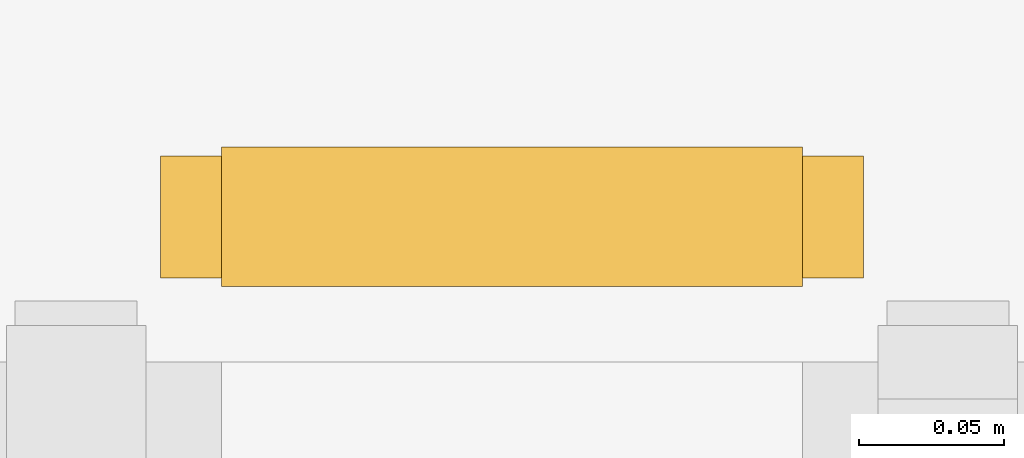
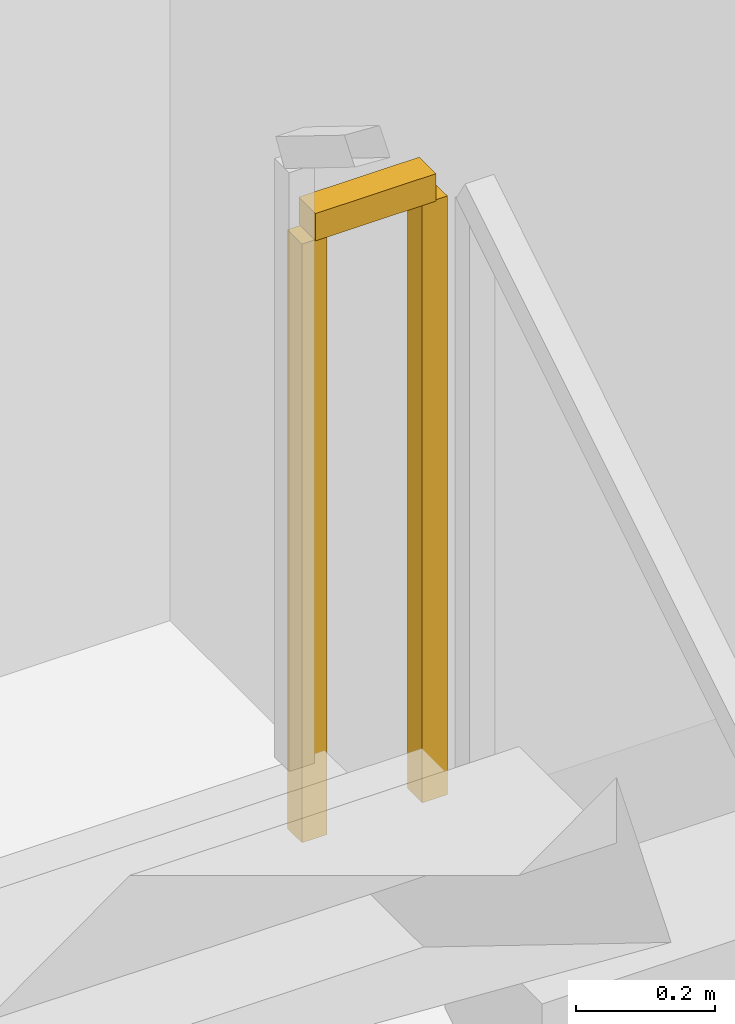
# One storey, part 22 of 23: 1 railing.
"""IFC4 building model written with IfcOpenShell, lengths in metres."""

import ifcopenshell
import ifcopenshell.guid

model = None  # the IFC model being written
_history = None  # IfcOwnerHistory: only IFC2X3 demands one
_inside = {}  # id of a spatial element -> (the spatial element, [elements in it])
_under = {}  # id of a project, library or spatial element -> (it, [spatial elements below it])
_declared = {}  # id of a project -> (the project, [libraries it declares])
_typed = {}  # id of a type object -> (the type object, [elements of that type])
_made_of = {}  # id of a material, layer set ... -> (it, [elements and type objects made of it])


def new_model(schema):
    """Start an empty IFC model of exactly this schema.

    Asked for "IFC4X3", IfcOpenShell would pick the latest addendum, in which some entities
    have other attributes; the version numbers below select the first issue.
    IFC2X3 requires an IfcOwnerHistory on every rooted entity: one is made here for all.
    """
    global model, _history
    if schema == "IFC4X3":
        model = ifcopenshell.file(schema_version=(4, 3, 0, 0))
    else:
        model = ifcopenshell.file(schema=schema)
    _inside.clear()
    _under.clear()
    _declared.clear()
    _typed.clear()
    _made_of.clear()
    _history = None
    if model.schema == "IFC2X3":
        org = make("IfcOrganization", Name="unknown")
        user = make(
            "IfcPersonAndOrganization",
            ThePerson=make("IfcPerson", FamilyName="unknown"),
            TheOrganization=org,
        )
        app = make(
            "IfcApplication",
            ApplicationDeveloper=org,
            Version="unknown",
            ApplicationFullName="unknown",
            ApplicationIdentifier="unknown",
        )
        _history = make(
            "IfcOwnerHistory",
            OwningUser=user,
            OwningApplication=app,
            ChangeAction="ADDED",
            CreationDate=0,
        )
    return model


def make(cls, **values):
    """One entity of the class cls with the attributes given. An attribute that is None is left unset."""
    return model.create_entity(
        cls, **{name: value for name, value in values.items() if value is not None}
    )


def rooted(cls, **values):
    """An entity with a GlobalId (a new one), such as an element, a storey or a relation."""
    return make(cls, GlobalId=ifcopenshell.guid.new(), OwnerHistory=_history, **values)


def si_unit(unit_type, name, prefix=None):
    """IfcSIUnit, for example si_unit("LENGTHUNIT", "METRE", prefix="MILLI")."""
    return make("IfcSIUnit", UnitType=unit_type, Prefix=prefix, Name=name)


def assignment(units):
    """IfcUnitAssignment: the units of a project."""
    return None if units is None else make("IfcUnitAssignment", Units=units)


def point(xyz):
    """IfcCartesianPoint."""
    return None if xyz is None else make("IfcCartesianPoint", Coordinates=xyz)


def direction(xyz):
    """IfcDirection."""
    return None if xyz is None else make("IfcDirection", DirectionRatios=xyz)


def frame(location, z_axis=None, x_axis=None):
    """IfcAxis2Placement3D, a coordinate frame: its origin and axes. An axis left out is left unset."""
    return make(
        "IfcAxis2Placement3D",
        Location=point(location),
        Axis=direction(z_axis),
        RefDirection=direction(x_axis),
    )


def frame_2d(location, x_axis=None):
    """IfcAxis2Placement2D, a coordinate frame in the plane: its origin and x axis."""
    return make(
        "IfcAxis2Placement2D", Location=point(location), RefDirection=direction(x_axis)
    )


def origin():
    """The frame at (0, 0, 0) with its axes left unset."""
    return frame((0.0, 0.0, 0.0))


def origin_2d():
    """The frame at (0, 0) in the plane with its x axis left unset."""
    return frame_2d((0.0, 0.0))


def place(relative_to, where):
    """IfcLocalPlacement: puts the frame where relative to a parent placement (None: the world)."""
    return make(
        "IfcLocalPlacement", PlacementRelTo=relative_to, RelativePlacement=where
    )


def context(
    kind, dimensions, precision=None, world=None, true_north=None, identifier=None
):
    """IfcGeometricRepresentationContext, for example the 3D "Model" context."""
    return make(
        "IfcGeometricRepresentationContext",
        ContextIdentifier=identifier,
        ContextType=kind,
        CoordinateSpaceDimension=dimensions,
        Precision=precision,
        WorldCoordinateSystem=world,
        TrueNorth=true_north,
    )


def subcontext(parent, identifier, kind, view, scale=None):
    """IfcGeometricRepresentationSubContext, for example "Body" below "Model"."""
    return make(
        "IfcGeometricRepresentationSubContext",
        ContextIdentifier=identifier,
        ContextType=kind,
        ParentContext=parent,
        TargetScale=scale,
        TargetView=view,
    )


def project(units=None, contexts=None):
    """IfcProject with its units and contexts."""
    return rooted(
        "IfcProject",
        Name="project",
        RepresentationContexts=contexts,
        UnitsInContext=assignment(units),
    )


def spatial(cls, under=None, at=None, **own):
    """A site, building, storey or space (cls), placed at a placement, below another one or the project."""
    s = rooted(cls, ObjectPlacement=at, **own)
    if under is not None:
        _under.setdefault(under.id(), (under, []))[1].append(s)
    return s


def profile(cls, at=None, kind="AREA", **sizes):
    """A parametric profile (cls). Its sizes go by their IFC names, for example OverallWidth=200.0."""
    return make(cls, ProfileType=kind, Position=at, **sizes)


def rectangle(**sizes):
    """IfcRectangleProfileDef."""
    return profile("IfcRectangleProfileDef", **sizes)


def extrude(swept, where, along, depth):
    """IfcExtrudedAreaSolid: the profile swept, set in the frame where, extruded along a direction by depth."""
    return make(
        "IfcExtrudedAreaSolid",
        SweptArea=swept,
        Position=where,
        ExtrudedDirection=direction(along),
        Depth=depth,
    )


def shape(context_of_items, identifier, shape_type, items):
    """IfcShapeRepresentation: the items that make up one representation, for example the "Body"."""
    return make(
        "IfcShapeRepresentation",
        ContextOfItems=context_of_items,
        RepresentationIdentifier=identifier,
        RepresentationType=shape_type,
        Items=items,
    )


def material(Name=None, Category=None):
    """IfcMaterial."""
    return make("IfcMaterial", Name=Name, Category=Category)


def made_of(thing, what):
    """Note that an element or type object is made of a material, layer set ...; save() writes the relation."""
    if what is not None:
        _made_of.setdefault(what.id(), (what, []))[1].append(thing)
    return thing


def type_object(cls, material=None, **own):
    """A type object (cls), such as IfcWallType, which elements share."""
    return made_of(rooted(cls, **own), material)


def element(
    cls,
    number,
    at=None,
    inside=None,
    cuts=None,
    type_object=None,
    material=None,
    context=None,
    identifier="Body",
    shape_type=None,
    held_by="IfcProductDefinitionShape",
    body=None,
    shapes=None,
    **own,
):
    """One element of the class cls, such as IfcWall. Its Tag is "e" and its number.

    at: its placement. inside: the storey or other place that contains it. cuts: it is an
    opening in that element (IfcRelVoidsElement). A single representation is given by context,
    identifier, shape_type and body (its items); several are given by shapes. held_by: the class
    of the entity that holds the representations. save() writes the other relations.
    """
    e = rooted(cls, Tag="e%d" % number, ObjectPlacement=at, **own)
    if body is not None:
        shapes = [shape(context, identifier, shape_type, body)]
    if shapes is not None:
        e.Representation = make(held_by, Representations=shapes)
    if inside is not None:
        _inside.setdefault(inside.id(), (inside, []))[1].append(e)
    if cuts is not None:
        rooted(
            "IfcRelVoidsElement", RelatingBuildingElement=cuts, RelatedOpeningElement=e
        )
    if type_object is not None:
        _typed.setdefault(type_object.id(), (type_object, []))[1].append(e)
    return made_of(e, material)


def aggregate(whole, parts):
    """IfcRelAggregates: a whole, such as a stair, and the parts it consists of."""
    return rooted("IfcRelAggregates", RelatingObject=whole, RelatedObjects=parts)


def save(model, path):
    """Write the relations noted so far, then the file.

    IfcRelAggregates (storeys below a building ...), IfcRelContainedInSpatialStructure (elements
    in a storey), IfcRelDefinesByType, IfcRelAssociatesMaterial and IfcRelDeclares: one each for
    every whole, place, type object, material and project.
    """
    for whole, parts in _under.values():
        aggregate(whole, parts)
    for where, things in _inside.values():
        rooted(
            "IfcRelContainedInSpatialStructure",
            RelatedElements=things,
            RelatingStructure=where,
        )
    for kind, things in _typed.values():
        rooted("IfcRelDefinesByType", RelatedObjects=things, RelatingType=kind)
    for what, things in _made_of.values():
        rooted("IfcRelAssociatesMaterial", RelatedObjects=things, RelatingMaterial=what)
    for by, libraries in _declared.values():
        rooted("IfcRelDeclares", RelatingContext=by, RelatedDefinitions=libraries)
    model.write(path)


model = new_model("IFC4")

# Units and contexts
model_context = context("Model", 3, precision=1e-05, world=origin(), true_north=direction((0.0, 1.0)))
body_context = subcontext(model_context, "Body", "Model", "MODEL_VIEW")
ifc_project = project(units=[si_unit("LENGTHUNIT", "METRE"), si_unit("AREAUNIT", "SQUARE_METRE"), si_unit("VOLUMEUNIT", "CUBIC_METRE"), si_unit("PLANEANGLEUNIT", "RADIAN"), si_unit("MASSUNIT", "GRAM", prefix="KILO")], contexts=[model_context])

# Site, building, storey
site_placement = place(None, origin())
site = spatial("IfcSite", under=ifc_project, at=site_placement, CompositionType="ELEMENT")
building_placement = place(site_placement, origin())
building = spatial("IfcBuilding", under=site, at=building_placement, Name="Kiyonajd Concourse Tower", CompositionType="ELEMENT")
storey_placement = place(building_placement, frame((0.0, 0.0, -9.0)))
storey = spatial("IfcBuildingStorey", under=building, at=storey_placement, Name="B2", CompositionType="ELEMENT", Elevation=-9.0)

# Railing
ifc_material = material(Name="Steel ASTM A500 Grade C", Category="steel")
railing_type = type_object("IfcRailingType", Name="RL-GRD-STR", PredefinedType="GUARDRAIL", material=ifc_material)
railing_placement = place(storey_placement, frame((84.89990234375, 33.06005859375, 2.25)))
element("IfcRailing", 1, at=railing_placement, inside=storey, type_object=railing_type, Name="B2 ST5 stair guard 2", PredefinedType="GUARDRAIL", context=body_context, shape_type="SweptSolid", body=[
    extrude(rectangle(XDim=0.048095703125, YDim=0.048095703125, at=origin_2d()), frame((0.0, 0.0, 1.076171875), z_axis=(-1.0, 0.0, 0.0), x_axis=(0.0, -1.0, 0.0)), (0.0, 0.0, 1.0), 0.199951171875),
    extrude(rectangle(XDim=0.0419921875, YDim=0.0419921875, at=origin_2d()), origin(), (0.0, 0.0, 1.0), 1.052001953125),
    extrude(rectangle(XDim=0.0419921875, YDim=0.0419921875, at=origin_2d()), frame((-0.199951171875, 0.0, 0.0)), (0.0, 0.0, 1.0), 1.052001953125),
])

save(model, "model.ifc")
